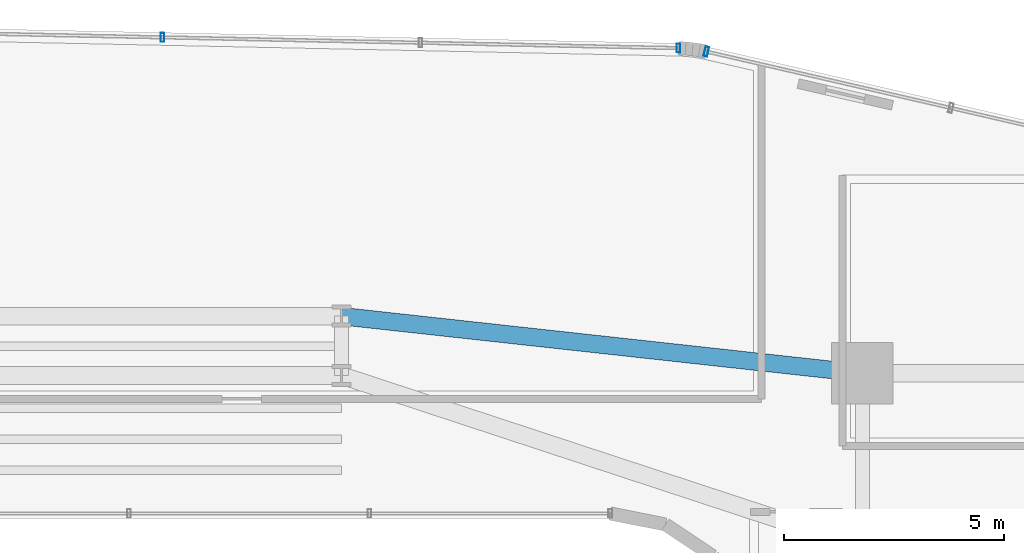
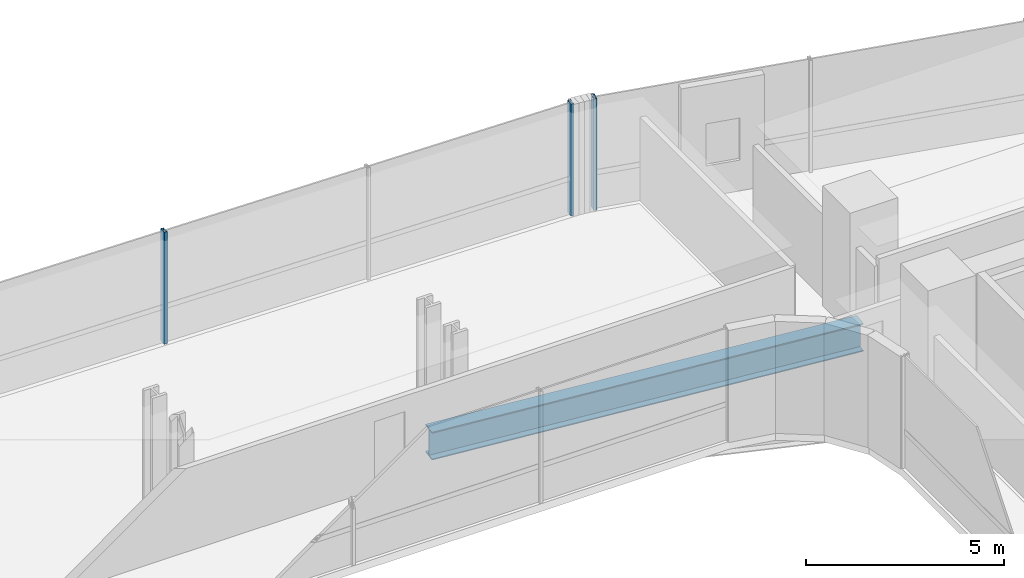
# One storey, part 21 of 39: 3 members, 1 beam, 2 elements without a shape of their own.
"""IFC4 building model written with IfcOpenShell, lengths in metres."""

import ifcopenshell
import ifcopenshell.guid

model = None  # the IFC model being written
_history = None  # IfcOwnerHistory: only IFC2X3 demands one
_inside = {}  # id of a spatial element -> (the spatial element, [elements in it])
_under = {}  # id of a project, library or spatial element -> (it, [spatial elements below it])
_declared = {}  # id of a project -> (the project, [libraries it declares])
_typed = {}  # id of a type object -> (the type object, [elements of that type])
_made_of = {}  # id of a material, layer set ... -> (it, [elements and type objects made of it])


def new_model(schema):
    """Start an empty IFC model of exactly this schema.

    Asked for "IFC4X3", IfcOpenShell would pick the latest addendum, in which some entities
    have other attributes; the version numbers below select the first issue.
    IFC2X3 requires an IfcOwnerHistory on every rooted entity: one is made here for all.
    """
    global model, _history
    if schema == "IFC4X3":
        model = ifcopenshell.file(schema_version=(4, 3, 0, 0))
    else:
        model = ifcopenshell.file(schema=schema)
    _inside.clear()
    _under.clear()
    _declared.clear()
    _typed.clear()
    _made_of.clear()
    _history = None
    if model.schema == "IFC2X3":
        org = make("IfcOrganization", Name="unknown")
        user = make(
            "IfcPersonAndOrganization",
            ThePerson=make("IfcPerson", FamilyName="unknown"),
            TheOrganization=org,
        )
        app = make(
            "IfcApplication",
            ApplicationDeveloper=org,
            Version="unknown",
            ApplicationFullName="unknown",
            ApplicationIdentifier="unknown",
        )
        _history = make(
            "IfcOwnerHistory",
            OwningUser=user,
            OwningApplication=app,
            ChangeAction="ADDED",
            CreationDate=0,
        )
    return model


def make(cls, **values):
    """One entity of the class cls with the attributes given. An attribute that is None is left unset."""
    return model.create_entity(
        cls, **{name: value for name, value in values.items() if value is not None}
    )


def rooted(cls, **values):
    """An entity with a GlobalId (a new one), such as an element, a storey or a relation."""
    return make(cls, GlobalId=ifcopenshell.guid.new(), OwnerHistory=_history, **values)


def si_unit(unit_type, name, prefix=None):
    """IfcSIUnit, for example si_unit("LENGTHUNIT", "METRE", prefix="MILLI")."""
    return make("IfcSIUnit", UnitType=unit_type, Prefix=prefix, Name=name)


def assignment(units):
    """IfcUnitAssignment: the units of a project."""
    return None if units is None else make("IfcUnitAssignment", Units=units)


def point(xyz):
    """IfcCartesianPoint."""
    return None if xyz is None else make("IfcCartesianPoint", Coordinates=xyz)


def direction(xyz):
    """IfcDirection."""
    return None if xyz is None else make("IfcDirection", DirectionRatios=xyz)


def frame(location, z_axis=None, x_axis=None):
    """IfcAxis2Placement3D, a coordinate frame: its origin and axes. An axis left out is left unset."""
    return make(
        "IfcAxis2Placement3D",
        Location=point(location),
        Axis=direction(z_axis),
        RefDirection=direction(x_axis),
    )


def frame_2d(location, x_axis=None):
    """IfcAxis2Placement2D, a coordinate frame in the plane: its origin and x axis."""
    return make(
        "IfcAxis2Placement2D", Location=point(location), RefDirection=direction(x_axis)
    )


def origin():
    """The frame at (0, 0, 0) with its axes left unset."""
    return frame((0.0, 0.0, 0.0))


def origin_2d():
    """The frame at (0, 0) in the plane with its x axis left unset."""
    return frame_2d((0.0, 0.0))


def place(relative_to, where):
    """IfcLocalPlacement: puts the frame where relative to a parent placement (None: the world)."""
    return make(
        "IfcLocalPlacement", PlacementRelTo=relative_to, RelativePlacement=where
    )


def context(
    kind, dimensions, precision=None, world=None, true_north=None, identifier=None
):
    """IfcGeometricRepresentationContext, for example the 3D "Model" context."""
    return make(
        "IfcGeometricRepresentationContext",
        ContextIdentifier=identifier,
        ContextType=kind,
        CoordinateSpaceDimension=dimensions,
        Precision=precision,
        WorldCoordinateSystem=world,
        TrueNorth=true_north,
    )


def subcontext(parent, identifier, kind, view, scale=None):
    """IfcGeometricRepresentationSubContext, for example "Body" below "Model"."""
    return make(
        "IfcGeometricRepresentationSubContext",
        ContextIdentifier=identifier,
        ContextType=kind,
        ParentContext=parent,
        TargetScale=scale,
        TargetView=view,
    )


def project(units=None, contexts=None):
    """IfcProject with its units and contexts."""
    return rooted(
        "IfcProject",
        Name="project",
        RepresentationContexts=contexts,
        UnitsInContext=assignment(units),
    )


def spatial(cls, under=None, at=None, **own):
    """A site, building, storey or space (cls), placed at a placement, below another one or the project."""
    s = rooted(cls, ObjectPlacement=at, **own)
    if under is not None:
        _under.setdefault(under.id(), (under, []))[1].append(s)
    return s


def profile(cls, at=None, kind="AREA", **sizes):
    """A parametric profile (cls). Its sizes go by their IFC names, for example OverallWidth=200.0."""
    return make(cls, ProfileType=kind, Position=at, **sizes)


def hollow_rectangle(**sizes):
    """IfcRectangleHollowProfileDef."""
    return profile("IfcRectangleHollowProfileDef", **sizes)


def i_section(**sizes):
    """IfcIShapeProfileDef."""
    return profile("IfcIShapeProfileDef", **sizes)


def extrude(swept, where, along, depth):
    """IfcExtrudedAreaSolid: the profile swept, set in the frame where, extruded along a direction by depth."""
    return make(
        "IfcExtrudedAreaSolid",
        SweptArea=swept,
        Position=where,
        ExtrudedDirection=direction(along),
        Depth=depth,
    )


def shape(context_of_items, identifier, shape_type, items):
    """IfcShapeRepresentation: the items that make up one representation, for example the "Body"."""
    return make(
        "IfcShapeRepresentation",
        ContextOfItems=context_of_items,
        RepresentationIdentifier=identifier,
        RepresentationType=shape_type,
        Items=items,
    )


def source(mapping_origin, context_of_items, identifier, shape_type, items):
    """IfcRepresentationMap: a shape defined once, which mapped items show again and again."""
    return make(
        "IfcRepresentationMap",
        MappingOrigin=mapping_origin,
        MappedRepresentation=shape(context_of_items, identifier, shape_type, items),
    )


def transform(
    local_origin,
    x_axis=None,
    y_axis=None,
    z_axis=None,
    scale=None,
    scale2=None,
    scale3=None,
    uniform=True,
):
    """IfcCartesianTransformationOperator3D, or its non-uniform kind. x_axis, y_axis, z_axis: its Axis1, 2, 3."""
    if uniform:
        return make(
            "IfcCartesianTransformationOperator3D",
            Axis1=direction(x_axis),
            Axis2=direction(y_axis),
            LocalOrigin=point(local_origin),
            Scale=scale,
            Axis3=direction(z_axis),
        )
    return make(
        "IfcCartesianTransformationOperator3DnonUniform",
        Axis1=direction(x_axis),
        Axis2=direction(y_axis),
        LocalOrigin=point(local_origin),
        Scale=scale,
        Axis3=direction(z_axis),
        Scale2=scale2,
        Scale3=scale3,
    )


def mapped(mapping_source, mapping_target):
    """IfcMappedItem: shows the shape of a source again, moved by a transform."""
    return make(
        "IfcMappedItem", MappingSource=mapping_source, MappingTarget=mapping_target
    )


def material(Name=None, Category=None):
    """IfcMaterial."""
    return make("IfcMaterial", Name=Name, Category=Category)


def material_profile(
    of_material, cross_section, Name=None, Category=None, Priority=None
):
    """IfcMaterialProfile: a cross section and its material."""
    return make(
        "IfcMaterialProfile",
        Name=Name,
        Material=of_material,
        Profile=cross_section,
        Priority=Priority,
        Category=Category,
    )


def profile_set(profiles, Name=None, composite=None):
    """IfcMaterialProfileSet."""
    return make(
        "IfcMaterialProfileSet",
        Name=Name,
        MaterialProfiles=profiles,
        CompositeProfile=composite,
    )


def made_of(thing, what):
    """Note that an element or type object is made of a material, layer set ...; save() writes the relation."""
    if what is not None:
        _made_of.setdefault(what.id(), (what, []))[1].append(thing)
    return thing


def type_object(cls, material=None, **own):
    """A type object (cls), such as IfcWallType, which elements share."""
    return made_of(rooted(cls, **own), material)


def element(
    cls,
    number,
    at=None,
    inside=None,
    cuts=None,
    type_object=None,
    material=None,
    context=None,
    identifier="Body",
    shape_type=None,
    held_by="IfcProductDefinitionShape",
    body=None,
    shapes=None,
    **own,
):
    """One element of the class cls, such as IfcWall. Its Tag is "e" and its number.

    at: its placement. inside: the storey or other place that contains it. cuts: it is an
    opening in that element (IfcRelVoidsElement). A single representation is given by context,
    identifier, shape_type and body (its items); several are given by shapes. held_by: the class
    of the entity that holds the representations. save() writes the other relations.
    """
    e = rooted(cls, Tag="e%d" % number, ObjectPlacement=at, **own)
    if body is not None:
        shapes = [shape(context, identifier, shape_type, body)]
    if shapes is not None:
        e.Representation = make(held_by, Representations=shapes)
    if inside is not None:
        _inside.setdefault(inside.id(), (inside, []))[1].append(e)
    if cuts is not None:
        rooted(
            "IfcRelVoidsElement", RelatingBuildingElement=cuts, RelatedOpeningElement=e
        )
    if type_object is not None:
        _typed.setdefault(type_object.id(), (type_object, []))[1].append(e)
    return made_of(e, material)


def aggregate(whole, parts):
    """IfcRelAggregates: a whole, such as a stair, and the parts it consists of."""
    return rooted("IfcRelAggregates", RelatingObject=whole, RelatedObjects=parts)


def save(model, path):
    """Write the relations noted so far, then the file.

    IfcRelAggregates (storeys below a building ...), IfcRelContainedInSpatialStructure (elements
    in a storey), IfcRelDefinesByType, IfcRelAssociatesMaterial and IfcRelDeclares: one each for
    every whole, place, type object, material and project.
    """
    for whole, parts in _under.values():
        aggregate(whole, parts)
    for where, things in _inside.values():
        rooted(
            "IfcRelContainedInSpatialStructure",
            RelatedElements=things,
            RelatingStructure=where,
        )
    for kind, things in _typed.values():
        rooted("IfcRelDefinesByType", RelatedObjects=things, RelatingType=kind)
    for what, things in _made_of.values():
        rooted("IfcRelAssociatesMaterial", RelatedObjects=things, RelatingMaterial=what)
    for by, libraries in _declared.values():
        rooted("IfcRelDeclares", RelatingContext=by, RelatedDefinitions=libraries)
    model.write(path)


model = new_model("IFC4")

# Units and contexts
model_context = context("Model", 3, precision=1e-05, world=origin(), true_north=direction((0.0, 1.0)))
body_context = subcontext(model_context, "Body", "Model", "MODEL_VIEW")
ifc_project = project(units=[si_unit("LENGTHUNIT", "METRE"), si_unit("AREAUNIT", "SQUARE_METRE"), si_unit("VOLUMEUNIT", "CUBIC_METRE"), si_unit("PLANEANGLEUNIT", "RADIAN"), si_unit("MASSUNIT", "GRAM", prefix="KILO")], contexts=[model_context])

# Site, building, storey
site_placement = place(None, origin())
site = spatial("IfcSite", under=ifc_project, at=site_placement, CompositionType="ELEMENT")
building_placement = place(site_placement, origin())
building = spatial("IfcBuilding", under=site, at=building_placement, Name="Valdorenza Pilgrim Sanctuary Tower", CompositionType="ELEMENT")
storey_placement = place(building_placement, frame((0.0, 0.0, 70.39990234375)))
storey = spatial("IfcBuildingStorey", under=building, at=storey_placement, Name="L17", CompositionType="ELEMENT", Elevation=70.39990234375)

# Beam
ifc_material_1 = material(Name="Steel ASTM A992 Grade 50", Category="steel")
ifc_material_profile_1 = material_profile(ifc_material_1, i_section(OverallWidth=0.39990234375, OverallDepth=0.862060546875, WebThickness=0.019775390625, FlangeThickness=0.032470703125, at=origin_2d()), Name="W33X221")
ifc_profile_set_1 = profile_set([ifc_material_profile_1], Name="Steel ASTM A992 Grade 50")
beam_type = type_object("IfcBeamType", Name="STR-BM-GRD-W33", PredefinedType="BEAM", material=ifc_profile_set_1)
shared_shape_1 = source(origin(), body_context, "Body", "SweptSolid", [
    extrude(i_section(OverallWidth=0.39990234375, OverallDepth=0.862060546875, WebThickness=0.019775390625, FlangeThickness=0.032470703125, at=origin_2d()), origin(), (0.0, 0.0, 1.0), 11.921142578125),
])
beam_placement = place(storey_placement, frame((4.0, 14.800048828125, -0.6708984375), z_axis=(0.994035876607, -0.10905354656, 0.0), x_axis=(0.10905354656, 0.994035876607, 0.0)))
element("IfcBeam", 1, at=beam_placement, inside=storey, type_object=beam_type, Name="L17 Floor Girder KNK-G6", PredefinedType="BEAM", context=body_context, shape_type="MappedRepresentation", body=[
    mapped(shared_shape_1, transform((0.0, 0.0, 0.0), x_axis=(1.0, 0.0, 0.0), y_axis=(0.0, 1.0, 0.0), z_axis=(0.0, 0.0, 1.0), scale=1.0)),
])

# Curtain wall, members
ifc_material_2 = material(Name="Curtain-wall IGU glazing", Category="glass")
curtain_wall_type_1 = type_object("IfcCurtainWallType", Name="CW-SYS-02", PredefinedType="NOTDEFINED", material=ifc_material_2)
curtain_wall_1_placement = place(storey_placement, origin())
curtain_wall_1 = element("IfcCurtainWall", 2, at=curtain_wall_1_placement, inside=storey, type_object=curtain_wall_type_1, Name="L17 Curtain Wall CW-L17-1-11", PredefinedType="NOTDEFINED")
ifc_material_3 = material(Name="Anodised aluminium AW-6060", Category="aluminium")
ifc_material_profile_2 = material_profile(ifc_material_3, hollow_rectangle(XDim=0.0849609375, YDim=0.199951171875, WallThickness=0.0048828125, at=origin_2d()), Name="ALU-M 200x85x5")
ifc_profile_set_2 = profile_set([ifc_material_profile_2], Name="Anodised aluminium AW-6060")
member_type_1 = type_object("IfcMemberType", Name="CW-MUL-02", PredefinedType="MULLION", material=ifc_profile_set_2)
shared_shape_2 = source(origin(), body_context, "Body", "SweptSolid", [
    extrude(hollow_rectangle(XDim=0.0849609375, YDim=0.199951171875, WallThickness=0.0048828125, at=origin_2d()), origin(), (0.0, 0.0, 1.0), 3.460205078125),
])
member_1_placement = place(storey_placement, frame((-0.0712890625, 21.1416015625, 0.0), z_axis=(0.0, 0.0, 1.0), x_axis=(0.999783234613, -0.020820273474, 0.0)))
member_1 = element("IfcMember", 3, at=member_1_placement, type_object=member_type_1, Name="CW-L17-1-11 Mullion 3", PredefinedType="MULLION", context=body_context, shape_type="MappedRepresentation", body=[
    mapped(shared_shape_2, transform((0.0, 0.0, 0.0), x_axis=(1.0, 0.0, 0.0), y_axis=(0.0, 1.0, 0.0), z_axis=(0.0, 0.0, 1.0), scale=1.0)),
])
member_2_placement = place(storey_placement, frame((11.665771484375, 20.89697265625, 0.0), z_axis=(0.0, 0.0, 1.0), x_axis=(0.999783234613, -0.020820273474, 0.0)))
member_2 = element("IfcMember", 4, at=member_2_placement, type_object=member_type_1, Name="CW-L17-1-11 Mullion 5", PredefinedType="MULLION", context=body_context, shape_type="MappedRepresentation", body=[
    mapped(shared_shape_2, transform((0.0, 0.0, 0.0), x_axis=(1.0, 0.0, 0.0), y_axis=(0.0, 1.0, 0.0), z_axis=(0.0, 0.0, 1.0), scale=1.0)),
])
aggregate(curtain_wall_1, [member_1, member_2])

# Curtain wall, member
curtain_wall_type_2 = type_object("IfcCurtainWallType", Name="CW-SYS-03", PredefinedType="NOTDEFINED", material=ifc_material_2)
curtain_wall_2_placement = place(storey_placement, origin())
curtain_wall_2 = element("IfcCurtainWall", 5, at=curtain_wall_2_placement, inside=storey, type_object=curtain_wall_type_2, Name="L17 Curtain Wall CW-L17-1-16", PredefinedType="NOTDEFINED")
ifc_material_profile_3 = material_profile(ifc_material_3, hollow_rectangle(XDim=0.0849609375, YDim=0.219970703125, WallThickness=0.0048828125, at=origin_2d()), Name="ALU-M 220x85x5")
ifc_profile_set_3 = profile_set([ifc_material_profile_3], Name="Anodised aluminium AW-6060")
member_type_2 = type_object("IfcMemberType", Name="CW-MUL-03", PredefinedType="MULLION", material=ifc_profile_set_3)
shared_shape_3 = source(origin(), body_context, "Body", "SweptSolid", [
    extrude(hollow_rectangle(XDim=0.0849609375, YDim=0.219970703125, WallThickness=0.0048828125, at=origin_2d()), origin(), (0.0, 0.0, 1.0), 3.460205078125),
])
member_3_placement = place(storey_placement, frame((12.299072265625, 20.818115234375, 0.0), z_axis=(0.0, 0.0, 1.0), x_axis=(0.974389691758, -0.224866023659, 0.0)))
member_3 = element("IfcMember", 6, at=member_3_placement, type_object=member_type_2, Name="CW-L17-1-16 Mullion 1", PredefinedType="MULLION", context=body_context, shape_type="MappedRepresentation", body=[
    mapped(shared_shape_3, transform((0.0, 0.0, 0.0), x_axis=(1.0, 0.0, 0.0), y_axis=(0.0, 1.0, 0.0), z_axis=(0.0, 0.0, 1.0), scale=1.0)),
])
aggregate(curtain_wall_2, [member_3])

save(model, "model.ifc")
